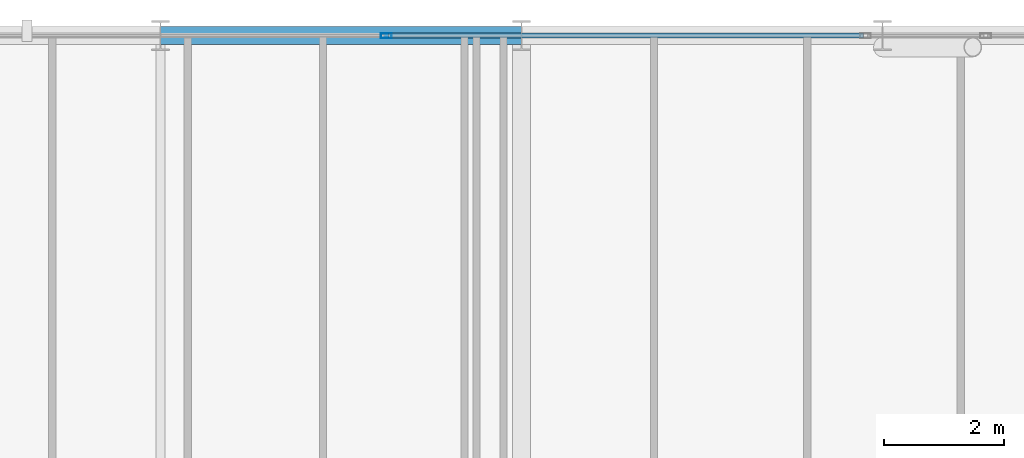
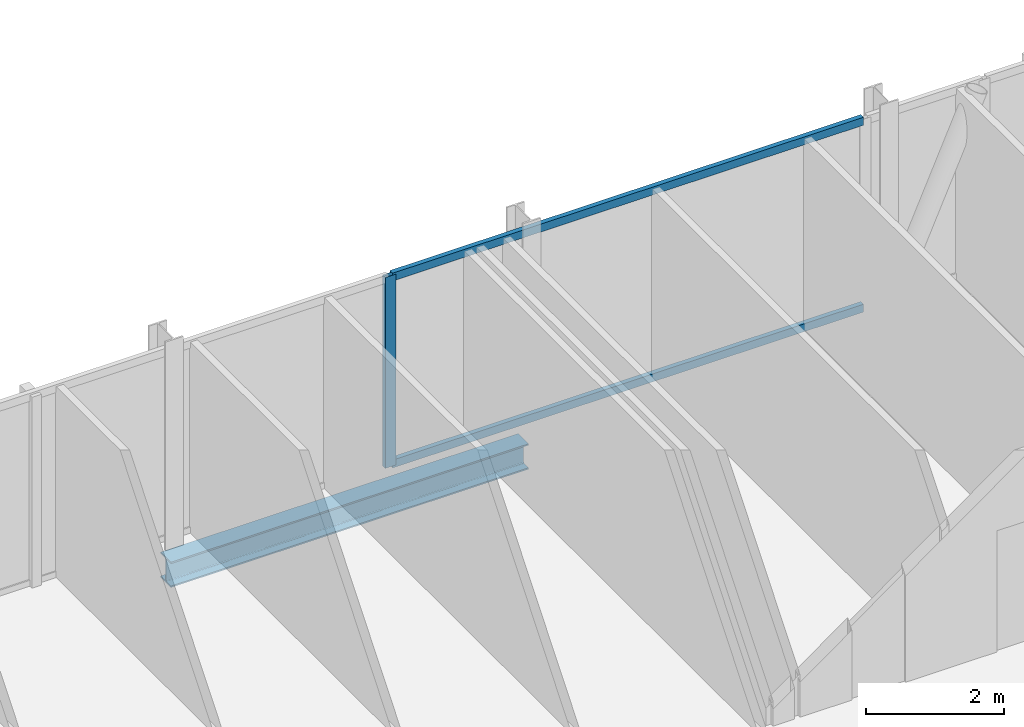
# One storey, part 18 of 31: 3 members, 1 beam, 1 element without a shape of its own.
"""IFC4 building model written with IfcOpenShell, lengths in metres."""

from ifc_helpers import new_model, si_unit, direction, frame, origin, origin_2d, place, context, subcontext, project, spatial, hollow_rectangle, i_section, extrude, material, layer, layer_set, material_profile, profile_set, type_object, element, aggregate, save


model = new_model("IFC4")

# Units and contexts
model_context = context("Model", 3, precision=1e-05, world=origin(), true_north=direction((0.0, 1.0)))
body_context = subcontext(model_context, "Body", "Model", "MODEL_VIEW")
ifc_project = project(units=[si_unit("LENGTHUNIT", "METRE"), si_unit("AREAUNIT", "SQUARE_METRE"), si_unit("VOLUMEUNIT", "CUBIC_METRE"), si_unit("PLANEANGLEUNIT", "RADIAN"), si_unit("MASSUNIT", "GRAM", prefix="KILO")], contexts=[model_context])

# Site, building, storey
site_placement = place(None, origin())
site = spatial("IfcSite", under=ifc_project, at=site_placement, CompositionType="ELEMENT")
building_placement = place(site_placement, origin())
building = spatial("IfcBuilding", under=site, at=building_placement, Name="Keshet Zoharim Tower", CompositionType="ELEMENT")
storey_placement = place(building_placement, frame((0.0, 0.0, 148.300048828125)))
storey = spatial("IfcBuildingStorey", under=building, at=storey_placement, Name="L36", CompositionType="ELEMENT", Elevation=148.300048828125)

# Beam
ifc_material_1 = material(Name="Steel S355", Category="steel")
ifc_material_profile_1 = material_profile(ifc_material_1, i_section(OverallWidth=0.300048828125, OverallDepth=0.449951171875, WebThickness=0.013916015625, FlangeThickness=0.02587890625, FilletRadius=0.027099609375, at=origin_2d()), Name="HEB450")
ifc_profile_set_1 = profile_set([ifc_material_profile_1], Name="Steel S355")
beam_type = type_object("IfcBeamType", Name="BM-WEB-HB450", PredefinedType="BEAM", material=ifc_profile_set_1)
beam_placement = place(storey_placement, frame((27.0, 53.89990234375, -0.5400390625), z_axis=(1.0, 0.0, 0.0), x_axis=(0.0, 1.0, 0.0)))
element("IfcBeam", 1, at=beam_placement, inside=storey, type_object=beam_type, Name="L36 Primary Girder X-021", PredefinedType="BEAM", context=body_context, shape_type="SweptSolid", body=[
    extrude(i_section(OverallWidth=0.300048828125, OverallDepth=0.449951171875, WebThickness=0.013916015625, FlangeThickness=0.02587890625, FilletRadius=0.027099609375, at=origin_2d()), origin(), (0.0, 0.0, 1.0), 6.0),
])

# Curtain wall, members
ifc_material_2 = material(Name="Aluminium 6063-T6", Category="aluminium")
ifc_layer = layer(ifc_material_2, 0.159912109375)
ifc_layer_set = layer_set([ifc_layer], Name="Aluminium 6063-T6")
curtain_wall_type = type_object("IfcCurtainWallType", Name="CW-SYS-03", PredefinedType="NOTDEFINED", material=ifc_layer_set)
curtain_wall_placement = place(storey_placement, origin())
curtain_wall = element("IfcCurtainWall", 2, at=curtain_wall_placement, inside=storey, type_object=curtain_wall_type, Name="L36 Unitised Curtain Wall 13 Part 3", PredefinedType="NOTDEFINED")
ifc_material_profile_2 = material_profile(ifc_material_2, hollow_rectangle(XDim=0.080078125, YDim=0.179931640625, WallThickness=0.00439453125, at=origin_2d()), Name="MUL-80x180")
ifc_profile_set_2 = profile_set([ifc_material_profile_2], Name="Aluminium 6063-T6")
member_type_1 = type_object("IfcMemberType", Name="CWM-M18", PredefinedType="MULLION", material=ifc_profile_set_2)
member_1_placement = place(storey_placement, frame((30.75, 53.89990234375, 0.0), z_axis=(0.0, 0.0, 1.0), x_axis=(0.0, 1.0, 0.0)))
member_1 = element("IfcMember", 3, at=member_1_placement, type_object=member_type_1, Name="CW-03 mullion 2", PredefinedType="MULLION", context=body_context, shape_type="SweptSolid", body=[
    extrude(hollow_rectangle(XDim=0.080078125, YDim=0.179931640625, WallThickness=0.00439453125, at=origin_2d()), origin(), (0.0, 0.0, 1.0), 3.385009765625),
])
ifc_material_profile_3 = material_profile(ifc_material_2, hollow_rectangle(XDim=0.080078125, YDim=0.139892578125, WallThickness=0.00390625, at=origin_2d()), Name="TRN-80x140")
ifc_profile_set_3 = profile_set([ifc_material_profile_3], Name="Aluminium 6063-T6")
member_type_2 = type_object("IfcMemberType", Name="CWT-T14", PredefinedType="USERDEFINED", material=ifc_profile_set_3)
member_2_placement = place(storey_placement, frame((30.784912109375, 53.89990234375, 0.034912109375), z_axis=(1.0, 0.0, 0.0), x_axis=(0.0, 1.0, 0.0)))
member_2 = element("IfcMember", 4, at=member_2_placement, type_object=member_type_2, Name="CW-03 transom 2.1", ObjectType="TRANSOM", PredefinedType="USERDEFINED", context=body_context, shape_type="SweptSolid", body=[
    extrude(hollow_rectangle(XDim=0.080078125, YDim=0.139892578125, WallThickness=0.00390625, at=origin_2d()), origin(), (0.0, 0.0, 1.0), 7.89697265625),
])
member_3_placement = place(storey_placement, frame((30.784912109375, 53.89990234375, 3.349853515625), z_axis=(1.0, 0.0, 0.0), x_axis=(0.0, 1.0, 0.0)))
member_3 = element("IfcMember", 5, at=member_3_placement, type_object=member_type_2, Name="CW-03 transom 2.2", ObjectType="TRANSOM", PredefinedType="USERDEFINED", context=body_context, shape_type="SweptSolid", body=[
    extrude(hollow_rectangle(XDim=0.080078125, YDim=0.139892578125, WallThickness=0.00390625, at=origin_2d()), origin(), (0.0, 0.0, 1.0), 7.89697265625),
])
aggregate(curtain_wall, [member_1, member_2, member_3])

save(model, "model.ifc")
